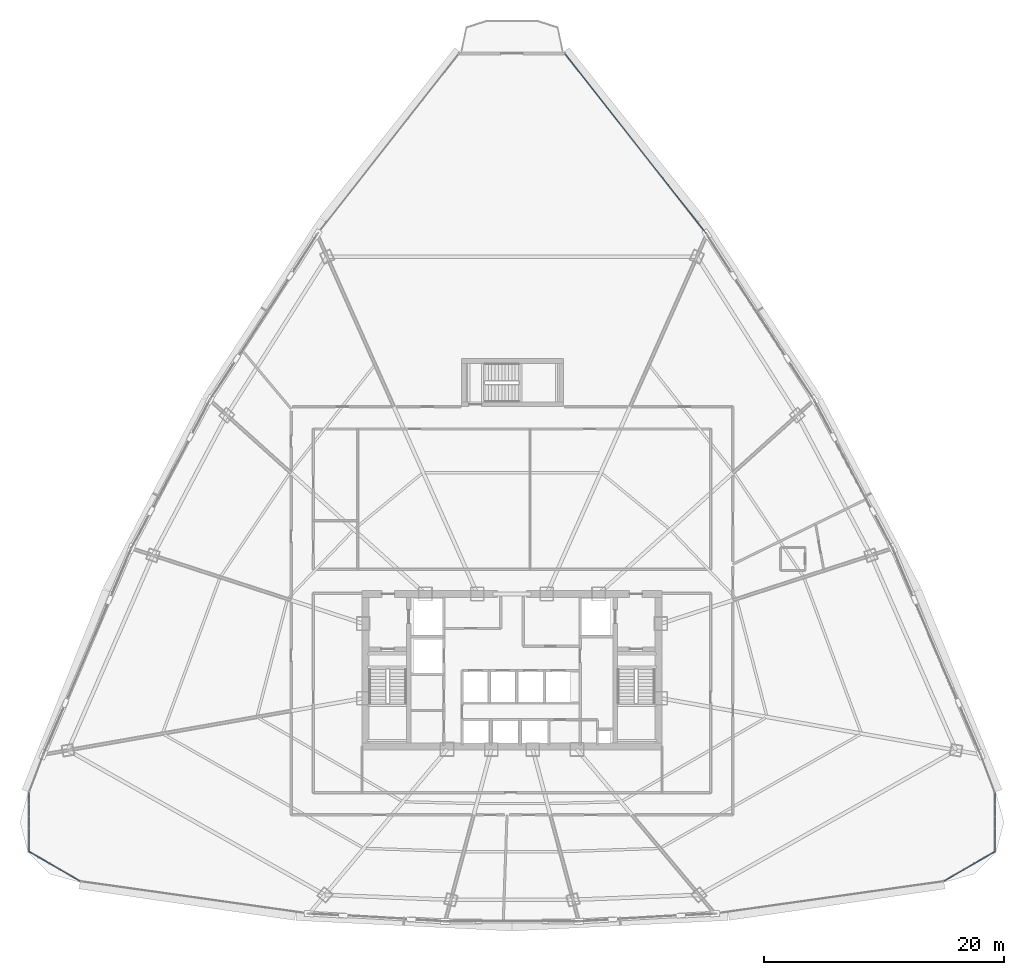
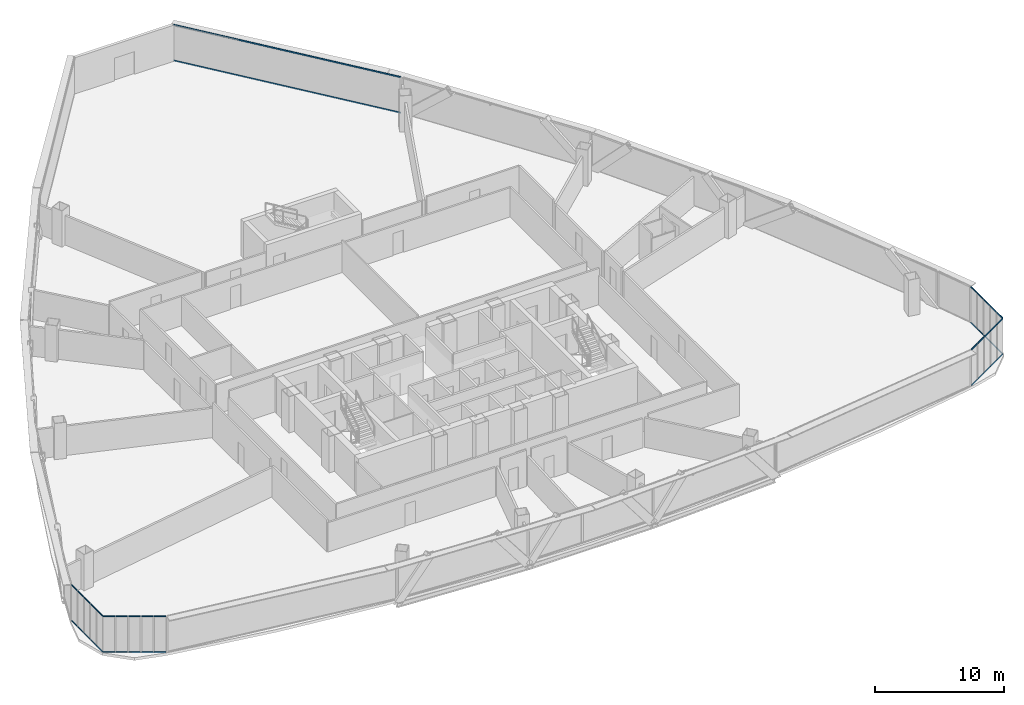
# One storey, part 30 of 42: 42 members, 5 elements without a shape of their own.
"""IFC4 building model written with IfcOpenShell, lengths in metres."""

from ifc_helpers import new_model, si_unit, direction, frame, origin, origin_2d, place, context, subcontext, project, spatial, hollow_rectangle, extrude, source, transform, mapped, material, layer, layer_set, material_profile, profile_set, type_object, element, aggregate, save


model = new_model("IFC4")

# Units and contexts
model_context = context("Model", 3, precision=1e-05, world=origin(), true_north=direction((0.0, 1.0)))
body_context = subcontext(model_context, "Body", "Model", "MODEL_VIEW")
ifc_project = project(units=[si_unit("LENGTHUNIT", "METRE"), si_unit("AREAUNIT", "SQUARE_METRE"), si_unit("VOLUMEUNIT", "CUBIC_METRE"), si_unit("PLANEANGLEUNIT", "RADIAN"), si_unit("MASSUNIT", "GRAM", prefix="KILO"), si_unit("THERMODYNAMICTEMPERATUREUNIT", "KELVIN"), si_unit("POWERUNIT", "WATT")], contexts=[model_context])

# Site, building, storey
site_placement = place(None, origin())
site = spatial("IfcSite", under=ifc_project, at=site_placement, CompositionType="ELEMENT")
building_placement = place(site_placement, origin())
building = spatial("IfcBuilding", under=site, at=building_placement, Name="Yunzhuo Pagoda Commons", CompositionType="ELEMENT")
storey_placement = place(building_placement, frame((0.0, 0.0, 129.830078125)))
storey = spatial("IfcBuildingStorey", under=building, at=storey_placement, Name="L32", CompositionType="ELEMENT", Elevation=129.830078125)

# Curtain wall, members
ifc_material = material(Name="Anodized aluminium 6063-T6", Category="aluminium")
ifc_layer_1 = layer(ifc_material, 0.14990234375)
ifc_layer_set_1 = layer_set([ifc_layer_1], Name="Anodized aluminium 6063-T6")
curtain_wall_type_1 = type_object("IfcCurtainWallType", Name="CW-MID Mid-Zone Ribbon Curtain Wall", PredefinedType="NOTDEFINED", material=ifc_layer_set_1)
curtain_wall_1_placement = place(storey_placement, origin())
curtain_wall_1 = element("IfcCurtainWall", 1, at=curtain_wall_1_placement, inside=storey, type_object=curtain_wall_type_1, Name="L32 curtain wall CW-L32-F2B5", PredefinedType="NOTDEFINED")
ifc_material_profile_1 = material_profile(ifc_material, hollow_rectangle(XDim=0.054931640625, YDim=0.1298828125, WallThickness=0.00341796875, at=origin_2d()), Name="Anodized aluminium 6063-T6")
ifc_profile_set_1 = profile_set([ifc_material_profile_1], Name="Anodized aluminium 6063-T6")
member_type_1 = type_object("IfcMemberType", Name="CW-MID-T Transom RHS 130x55x3.5", PredefinedType="USERDEFINED", material=ifc_profile_set_1)
shared_shape_1 = source(origin(), body_context, "Body", "SweptSolid", [
    extrude(hollow_rectangle(XDim=0.054931640625, YDim=0.1298828125, WallThickness=0.00341796875, at=origin_2d()), origin(), (0.0, 0.0, 1.0), 18.9765625),
])
member_1_placement = place(storey_placement, frame((64.1513671875, 70.269775390625, 0.02734375), z_axis=(-0.617497065847, 0.786573183925, 0.0), x_axis=(-0.786573183925, -0.617497065847, 0.0)))
member_1 = element("IfcMember", 2, at=member_1_placement, type_object=member_type_1, Name="CW transom 1.1", ObjectType="TRANSOM", PredefinedType="USERDEFINED", context=body_context, shape_type="MappedRepresentation", body=[
    mapped(shared_shape_1, transform((0.0, 0.0, 0.0), scale=1.0)),
])
member_2_placement = place(storey_placement, frame((64.1513671875, 70.269775390625, 3.392333984375), z_axis=(-0.617497065847, 0.786573183925, 0.0), x_axis=(-0.786573183925, -0.617497065847, 0.0)))
member_2 = element("IfcMember", 3, at=member_2_placement, type_object=member_type_1, Name="CW transom 1.2", ObjectType="TRANSOM", PredefinedType="USERDEFINED", context=body_context, shape_type="MappedRepresentation", body=[
    mapped(shared_shape_1, transform((0.0, 0.0, 0.0), scale=1.0)),
])
aggregate(curtain_wall_1, [member_1, member_2])

ifc_layer_2 = layer(ifc_material, 0.1298828125)
ifc_layer_set_2 = layer_set([ifc_layer_2], Name="Anodized aluminium 6063-T6")
curtain_wall_type_2 = type_object("IfcCurtainWallType", Name="CW-VTX Rounded Corner Curtain Wall", PredefinedType="NOTDEFINED", material=ifc_layer_set_2)
curtain_wall_2_placement = place(storey_placement, origin())
curtain_wall_2 = element("IfcCurtainWall", 4, at=curtain_wall_2_placement, inside=storey, type_object=curtain_wall_type_2, Name="L32 curtain wall CW-L32-VTX1S1", PredefinedType="NOTDEFINED")
ifc_material_profile_2 = material_profile(ifc_material, hollow_rectangle(XDim=0.054931640625, YDim=0.1201171875, WallThickness=0.00341796875, at=origin_2d()), Name="Anodized aluminium 6063-T6")
ifc_profile_set_2 = profile_set([ifc_material_profile_2], Name="Anodized aluminium 6063-T6")
member_type_2 = type_object("IfcMemberType", Name="CW-VTX-T Transom RHS 120x55x3.5", PredefinedType="USERDEFINED", material=ifc_profile_set_2)
shared_shape_2 = source(origin(), body_context, "Body", "SweptSolid", [
    extrude(hollow_rectangle(XDim=0.054931640625, YDim=0.1201171875, WallThickness=0.00341796875, at=origin_2d()), origin(), (0.0, 0.0, 1.0), 0.915771484375),
])
member_3_placement = place(storey_placement, frame((7.766357421875, 23.625732421875, 0.02734375), z_axis=(-0.003465721655, -0.999993994369, 0.0), x_axis=(0.999993994369, -0.003465721655, 0.0)))
member_3 = element("IfcMember", 5, at=member_3_placement, type_object=member_type_2, Name="CW transom 1.1", ObjectType="TRANSOM", PredefinedType="USERDEFINED", context=body_context, shape_type="MappedRepresentation", body=[
    mapped(shared_shape_2, transform((0.0, 0.0, 0.0), scale=1.0)),
])
member_4_placement = place(storey_placement, frame((7.766357421875, 23.625732421875, 3.392333984375), z_axis=(-0.003465721655, -0.999993994369, 0.0), x_axis=(0.999993994369, -0.003465721655, 0.0)))
member_4 = element("IfcMember", 6, at=member_4_placement, type_object=member_type_2, Name="CW transom 1.2", ObjectType="TRANSOM", PredefinedType="USERDEFINED", context=body_context, shape_type="MappedRepresentation", body=[
    mapped(shared_shape_2, transform((0.0, 0.0, 0.0), scale=1.0)),
])

curtain_wall_3_placement = place(storey_placement, origin())
curtain_wall_3 = element("IfcCurtainWall", 7, at=curtain_wall_3_placement, inside=storey, type_object=curtain_wall_type_2, Name="L32 curtain wall CW-L32-VTX1S2", PredefinedType="NOTDEFINED")
member_5_placement = place(storey_placement, frame((7.75634765625, 18.73193359375, 0.02734375), z_axis=(0.865341097906, -0.501183383877, 0.0), x_axis=(0.501183383877, 0.865341097906, 0.0)))
member_5 = element("IfcMember", 8, at=member_5_placement, type_object=member_type_2, Name="CW transom 1.1", ObjectType="TRANSOM", PredefinedType="USERDEFINED", context=body_context, shape_type="MappedRepresentation", body=[
    mapped(shared_shape_2, transform((0.0, 0.0, 0.0), scale=1.0)),
])
member_6_placement = place(storey_placement, frame((7.75634765625, 18.73193359375, 3.392333984375), z_axis=(0.865341097906, -0.501183383877, 0.0), x_axis=(0.501183383877, 0.865341097906, 0.0)))
member_6 = element("IfcMember", 9, at=member_6_placement, type_object=member_type_2, Name="CW transom 1.2", ObjectType="TRANSOM", PredefinedType="USERDEFINED", context=body_context, shape_type="MappedRepresentation", body=[
    mapped(shared_shape_2, transform((0.0, 0.0, 0.0), scale=1.0)),
])
member_7_placement = place(storey_placement, frame((11.18798828125, 16.7451171875, 0.02734375), z_axis=(0.865456707617, -0.500983719536, 0.0), x_axis=(0.500983719536, 0.865456707617, 0.0)))
member_7 = element("IfcMember", 10, at=member_7_placement, type_object=member_type_2, Name="CW transom 5.1", ObjectType="TRANSOM", PredefinedType="USERDEFINED", context=body_context, shape_type="MappedRepresentation", body=[
    mapped(shared_shape_2, transform((0.0, 0.0, 0.0), scale=1.0)),
])
member_8_placement = place(storey_placement, frame((11.18798828125, 16.7451171875, 3.392333984375), z_axis=(0.865456707617, -0.500983719536, 0.0), x_axis=(0.500983719536, 0.865456707617, 0.0)))
member_8 = element("IfcMember", 11, at=member_8_placement, type_object=member_type_2, Name="CW transom 5.2", ObjectType="TRANSOM", PredefinedType="USERDEFINED", context=body_context, shape_type="MappedRepresentation", body=[
    mapped(shared_shape_2, transform((0.0, 0.0, 0.0), scale=1.0)),
])

curtain_wall_4_placement = place(storey_placement, origin())
curtain_wall_4 = element("IfcCurtainWall", 12, at=curtain_wall_4_placement, inside=storey, type_object=curtain_wall_type_2, Name="L32 curtain wall CW-L32-VTX2S1", PredefinedType="NOTDEFINED")
member_9_placement = place(storey_placement, frame((84.01953125, 16.286376953125, 0.02734375), z_axis=(0.865456707617, 0.500983719536, 0.0), x_axis=(-0.500983719536, 0.865456707617, 0.0)))
member_9 = element("IfcMember", 13, at=member_9_placement, type_object=member_type_2, Name="CW transom 1.1", ObjectType="TRANSOM", PredefinedType="USERDEFINED", context=body_context, shape_type="MappedRepresentation", body=[
    mapped(shared_shape_2, transform((0.0, 0.0, 0.0), scale=1.0)),
])
member_10_placement = place(storey_placement, frame((84.01953125, 16.286376953125, 3.392333984375), z_axis=(0.865456707617, 0.500983719536, 0.0), x_axis=(-0.500983719536, 0.865456707617, 0.0)))
member_10 = element("IfcMember", 14, at=member_10_placement, type_object=member_type_2, Name="CW transom 1.2", ObjectType="TRANSOM", PredefinedType="USERDEFINED", context=body_context, shape_type="MappedRepresentation", body=[
    mapped(shared_shape_2, transform((0.0, 0.0, 0.0), scale=1.0)),
])
member_11_placement = place(storey_placement, frame((87.451171875, 18.27294921875, 0.02734375), z_axis=(0.865341097906, 0.501183383877, 0.0), x_axis=(-0.501183383877, 0.865341097906, 0.0)))
member_11 = element("IfcMember", 15, at=member_11_placement, type_object=member_type_2, Name="CW transom 5.1", ObjectType="TRANSOM", PredefinedType="USERDEFINED", context=body_context, shape_type="MappedRepresentation", body=[
    mapped(shared_shape_2, transform((0.0, 0.0, 0.0), scale=1.0)),
])
member_12_placement = place(storey_placement, frame((87.451171875, 18.27294921875, 3.392333984375), z_axis=(0.865341097906, 0.501183383877, 0.0), x_axis=(-0.501183383877, 0.865341097906, 0.0)))
member_12 = element("IfcMember", 16, at=member_12_placement, type_object=member_type_2, Name="CW transom 5.2", ObjectType="TRANSOM", PredefinedType="USERDEFINED", context=body_context, shape_type="MappedRepresentation", body=[
    mapped(shared_shape_2, transform((0.0, 0.0, 0.0), scale=1.0)),
])

curtain_wall_5_placement = place(storey_placement, origin())
curtain_wall_5 = element("IfcCurtainWall", 17, at=curtain_wall_5_placement, inside=storey, type_object=curtain_wall_type_2, Name="L32 curtain wall CW-L32-VTX2S2", PredefinedType="NOTDEFINED")
member_13_placement = place(storey_placement, frame((88.23681640625, 22.7099609375, 0.02734375), z_axis=(-0.003465721655, 0.999993994369, 0.0), x_axis=(-0.999993994369, -0.003465721655, 0.0)))
member_13 = element("IfcMember", 18, at=member_13_placement, type_object=member_type_2, Name="CW transom 5.1", ObjectType="TRANSOM", PredefinedType="USERDEFINED", context=body_context, shape_type="MappedRepresentation", body=[
    mapped(shared_shape_2, transform((0.0, 0.0, 0.0), scale=1.0)),
])
member_14_placement = place(storey_placement, frame((88.23681640625, 22.7099609375, 3.392333984375), z_axis=(-0.003465721655, 0.999993994369, 0.0), x_axis=(-0.999993994369, -0.003465721655, 0.0)))
member_14 = element("IfcMember", 19, at=member_14_placement, type_object=member_type_2, Name="CW transom 5.2", ObjectType="TRANSOM", PredefinedType="USERDEFINED", context=body_context, shape_type="MappedRepresentation", body=[
    mapped(shared_shape_2, transform((0.0, 0.0, 0.0), scale=1.0)),
])

# Member
shared_shape_3 = source(origin(), body_context, "Body", "SweptSolid", [
    extrude(hollow_rectangle(XDim=0.054931640625, YDim=0.1201171875, WallThickness=0.00341796875, at=origin_2d()), origin(), (0.0, 0.0, 1.0), 0.943115234375),
])
member_15_placement = place(storey_placement, frame((7.76318359375, 22.655029296875, 0.02734375), z_axis=(-0.003624102527, -0.999993432919, 0.0), x_axis=(0.999993432919, -0.003624102527, 0.0)))
member_15 = element("IfcMember", 20, at=member_15_placement, type_object=member_type_2, Name="CW transom 2.1", ObjectType="TRANSOM", PredefinedType="USERDEFINED", context=body_context, shape_type="MappedRepresentation", body=[
    mapped(shared_shape_3, transform((0.0, 0.0, 0.0), scale=1.0)),
])

member_16_placement = place(storey_placement, frame((7.76318359375, 22.655029296875, 3.392333984375), z_axis=(-0.003624102527, -0.999993432919, 0.0), x_axis=(0.999993432919, -0.003624102527, 0.0)))
member_16 = element("IfcMember", 21, at=member_16_placement, type_object=member_type_2, Name="CW transom 2.2", ObjectType="TRANSOM", PredefinedType="USERDEFINED", context=body_context, shape_type="MappedRepresentation", body=[
    mapped(shared_shape_3, transform((0.0, 0.0, 0.0), scale=1.0)),
])

member_17_placement = place(storey_placement, frame((7.755859375, 20.65869140625, 0.02734375), z_axis=(-0.003624102527, -0.999993432919, 0.0), x_axis=(0.999993432919, -0.003624102527, 0.0)))
member_17 = element("IfcMember", 22, at=member_17_placement, type_object=member_type_2, Name="CW transom 4.1", ObjectType="TRANSOM", PredefinedType="USERDEFINED", context=body_context, shape_type="MappedRepresentation", body=[
    mapped(shared_shape_3, transform((0.0, 0.0, 0.0), scale=1.0)),
])

member_18_placement = place(storey_placement, frame((7.755859375, 20.65869140625, 3.392333984375), z_axis=(-0.003624102527, -0.999993432919, 0.0), x_axis=(0.999993432919, -0.003624102527, 0.0)))
member_18 = element("IfcMember", 23, at=member_18_placement, type_object=member_type_2, Name="CW transom 4.2", ObjectType="TRANSOM", PredefinedType="USERDEFINED", context=body_context, shape_type="MappedRepresentation", body=[
    mapped(shared_shape_3, transform((0.0, 0.0, 0.0), scale=1.0)),
])

member_19_placement = place(storey_placement, frame((8.5966796875, 18.245849609375, 0.02734375), z_axis=(0.865183952342, -0.501454612713, 0.0), x_axis=(0.501454612713, 0.865183952342, 0.0)))
member_19 = element("IfcMember", 24, at=member_19_placement, type_object=member_type_2, Name="CW transom 2.1", ObjectType="TRANSOM", PredefinedType="USERDEFINED", context=body_context, shape_type="MappedRepresentation", body=[
    mapped(shared_shape_3, transform((0.0, 0.0, 0.0), scale=1.0)),
])

member_20_placement = place(storey_placement, frame((8.5966796875, 18.245849609375, 3.392333984375), z_axis=(0.865183952342, -0.501454612713, 0.0), x_axis=(0.501454612713, 0.865183952342, 0.0)))
member_20 = element("IfcMember", 25, at=member_20_placement, type_object=member_type_2, Name="CW transom 2.2", ObjectType="TRANSOM", PredefinedType="USERDEFINED", context=body_context, shape_type="MappedRepresentation", body=[
    mapped(shared_shape_3, transform((0.0, 0.0, 0.0), scale=1.0)),
])

member_21_placement = place(storey_placement, frame((10.32421875, 17.245361328125, 0.02734375), z_axis=(0.865361295252, -0.501148509605, 0.0), x_axis=(0.501148509605, 0.865361295252, 0.0)))
member_21 = element("IfcMember", 26, at=member_21_placement, type_object=member_type_2, Name="CW transom 4.1", ObjectType="TRANSOM", PredefinedType="USERDEFINED", context=body_context, shape_type="MappedRepresentation", body=[
    mapped(shared_shape_3, transform((0.0, 0.0, 0.0), scale=1.0)),
])

member_22_placement = place(storey_placement, frame((10.32421875, 17.245361328125, 3.392333984375), z_axis=(0.865361295252, -0.501148509605, 0.0), x_axis=(0.501148509605, 0.865361295252, 0.0)))
member_22 = element("IfcMember", 27, at=member_22_placement, type_object=member_type_2, Name="CW transom 4.2", ObjectType="TRANSOM", PredefinedType="USERDEFINED", context=body_context, shape_type="MappedRepresentation", body=[
    mapped(shared_shape_3, transform((0.0, 0.0, 0.0), scale=1.0)),
])

member_23_placement = place(storey_placement, frame((84.859619140625, 16.772705078125, 0.02734375), z_axis=(0.865361295252, 0.501148509605, 0.0), x_axis=(-0.501148509605, 0.865361295252, 0.0)))
member_23 = element("IfcMember", 28, at=member_23_placement, type_object=member_type_2, Name="CW transom 2.1", ObjectType="TRANSOM", PredefinedType="USERDEFINED", context=body_context, shape_type="MappedRepresentation", body=[
    mapped(shared_shape_3, transform((0.0, 0.0, 0.0), scale=1.0)),
])

member_24_placement = place(storey_placement, frame((84.859619140625, 16.772705078125, 3.392333984375), z_axis=(0.865361295252, 0.501148509605, 0.0), x_axis=(-0.501148509605, 0.865361295252, 0.0)))
member_24 = element("IfcMember", 29, at=member_24_placement, type_object=member_type_2, Name="CW transom 2.2", ObjectType="TRANSOM", PredefinedType="USERDEFINED", context=body_context, shape_type="MappedRepresentation", body=[
    mapped(shared_shape_3, transform((0.0, 0.0, 0.0), scale=1.0)),
])

member_25_placement = place(storey_placement, frame((88.24755859375, 19.715576171875, 0.02734375), z_axis=(-0.003624102527, 0.999993432919, 0.0), x_axis=(-0.999993432919, -0.003624102527, 0.0)))
member_25 = element("IfcMember", 30, at=member_25_placement, type_object=member_type_2, Name="CW transom 2.1", ObjectType="TRANSOM", PredefinedType="USERDEFINED", context=body_context, shape_type="MappedRepresentation", body=[
    mapped(shared_shape_3, transform((0.0, 0.0, 0.0), scale=1.0)),
])

member_26_placement = place(storey_placement, frame((88.24755859375, 19.715576171875, 3.392333984375), z_axis=(-0.003624102527, 0.999993432919, 0.0), x_axis=(-0.999993432919, -0.003624102527, 0.0)))
member_26 = element("IfcMember", 31, at=member_26_placement, type_object=member_type_2, Name="CW transom 2.2", ObjectType="TRANSOM", PredefinedType="USERDEFINED", context=body_context, shape_type="MappedRepresentation", body=[
    mapped(shared_shape_3, transform((0.0, 0.0, 0.0), scale=1.0)),
])

member_27_placement = place(storey_placement, frame((88.24072265625, 21.7119140625, 0.02734375), z_axis=(-0.003624102527, 0.999993432919, 0.0), x_axis=(-0.999993432919, -0.003624102527, 0.0)))
member_27 = element("IfcMember", 32, at=member_27_placement, type_object=member_type_2, Name="CW transom 4.1", ObjectType="TRANSOM", PredefinedType="USERDEFINED", context=body_context, shape_type="MappedRepresentation", body=[
    mapped(shared_shape_3, transform((0.0, 0.0, 0.0), scale=1.0)),
])

member_28_placement = place(storey_placement, frame((88.24072265625, 21.7119140625, 3.392333984375), z_axis=(-0.003624102527, 0.999993432919, 0.0), x_axis=(-0.999993432919, -0.003624102527, 0.0)))
member_28 = element("IfcMember", 33, at=member_28_placement, type_object=member_type_2, Name="CW transom 4.2", ObjectType="TRANSOM", PredefinedType="USERDEFINED", context=body_context, shape_type="MappedRepresentation", body=[
    mapped(shared_shape_3, transform((0.0, 0.0, 0.0), scale=1.0)),
])

shared_shape_4 = source(origin(), body_context, "Body", "SweptSolid", [
    extrude(hollow_rectangle(XDim=0.054931640625, YDim=0.1201171875, WallThickness=0.00341796875, at=origin_2d()), origin(), (0.0, 0.0, 1.0), 0.943359375),
])
member_29_placement = place(storey_placement, frame((7.75927734375, 21.656982421875, 0.02734375), z_axis=(-0.003623164624, -0.999993436318, 0.0), x_axis=(0.999993436318, -0.003623164624, 0.0)))
member_29 = element("IfcMember", 34, at=member_29_placement, type_object=member_type_2, Name="CW transom 3.1", ObjectType="TRANSOM", PredefinedType="USERDEFINED", context=body_context, shape_type="MappedRepresentation", body=[
    mapped(shared_shape_4, transform((0.0, 0.0, 0.0), scale=1.0)),
])

member_30_placement = place(storey_placement, frame((7.75927734375, 21.656982421875, 3.392333984375), z_axis=(-0.003623164624, -0.999993436318, 0.0), x_axis=(0.999993436318, -0.003623164624, 0.0)))
member_30 = element("IfcMember", 35, at=member_30_placement, type_object=member_type_2, Name="CW transom 3.2", ObjectType="TRANSOM", PredefinedType="USERDEFINED", context=body_context, shape_type="MappedRepresentation", body=[
    mapped(shared_shape_4, transform((0.0, 0.0, 0.0), scale=1.0)),
])

member_31_placement = place(storey_placement, frame((9.460205078125, 17.745361328125, 0.02734375), z_axis=(0.865426285481, -0.501036270542, 0.0), x_axis=(0.501036270542, 0.865426285481, 0.0)))
member_31 = element("IfcMember", 36, at=member_31_placement, type_object=member_type_2, Name="CW transom 3.1", ObjectType="TRANSOM", PredefinedType="USERDEFINED", context=body_context, shape_type="MappedRepresentation", body=[
    mapped(shared_shape_4, transform((0.0, 0.0, 0.0), scale=1.0)),
])

member_32_placement = place(storey_placement, frame((9.460205078125, 17.745361328125, 3.392333984375), z_axis=(0.865426285481, -0.501036270542, 0.0), x_axis=(0.501036270542, 0.865426285481, 0.0)))
member_32 = element("IfcMember", 37, at=member_32_placement, type_object=member_type_2, Name="CW transom 3.2", ObjectType="TRANSOM", PredefinedType="USERDEFINED", context=body_context, shape_type="MappedRepresentation", body=[
    mapped(shared_shape_4, transform((0.0, 0.0, 0.0), scale=1.0)),
])

aggregate(curtain_wall_3, [member_5, member_6, member_19, member_20, member_31, member_32, member_21, member_22, member_7, member_8])

member_33_placement = place(storey_placement, frame((85.723388671875, 17.272705078125, 0.02734375), z_axis=(0.865426285481, 0.501036270542, 0.0), x_axis=(-0.501036270542, 0.865426285481, 0.0)))
member_33 = element("IfcMember", 38, at=member_33_placement, type_object=member_type_2, Name="CW transom 3.1", ObjectType="TRANSOM", PredefinedType="USERDEFINED", context=body_context, shape_type="MappedRepresentation", body=[
    mapped(shared_shape_4, transform((0.0, 0.0, 0.0), scale=1.0)),
])

member_34_placement = place(storey_placement, frame((85.723388671875, 17.272705078125, 3.392333984375), z_axis=(0.865426285481, 0.501036270542, 0.0), x_axis=(-0.501036270542, 0.865426285481, 0.0)))
member_34 = element("IfcMember", 39, at=member_34_placement, type_object=member_type_2, Name="CW transom 3.2", ObjectType="TRANSOM", PredefinedType="USERDEFINED", context=body_context, shape_type="MappedRepresentation", body=[
    mapped(shared_shape_4, transform((0.0, 0.0, 0.0), scale=1.0)),
])

member_35_placement = place(storey_placement, frame((86.58740234375, 17.77294921875, 0.02734375), z_axis=(0.865314060194, 0.501230064173, 0.0), x_axis=(-0.501230064173, 0.865314060194, 0.0)))
member_35 = element("IfcMember", 40, at=member_35_placement, type_object=member_type_2, Name="CW transom 4.1", ObjectType="TRANSOM", PredefinedType="USERDEFINED", context=body_context, shape_type="MappedRepresentation", body=[
    mapped(shared_shape_4, transform((0.0, 0.0, 0.0), scale=1.0)),
])

member_36_placement = place(storey_placement, frame((86.58740234375, 17.77294921875, 3.392333984375), z_axis=(0.865314060194, 0.501230064173, 0.0), x_axis=(-0.501230064173, 0.865314060194, 0.0)))
member_36 = element("IfcMember", 41, at=member_36_placement, type_object=member_type_2, Name="CW transom 4.2", ObjectType="TRANSOM", PredefinedType="USERDEFINED", context=body_context, shape_type="MappedRepresentation", body=[
    mapped(shared_shape_4, transform((0.0, 0.0, 0.0), scale=1.0)),
])

aggregate(curtain_wall_4, [member_9, member_10, member_23, member_24, member_33, member_34, member_35, member_36, member_11, member_12])

member_37_placement = place(storey_placement, frame((88.244140625, 20.713623046875, 0.02734375), z_axis=(-0.003623164624, 0.999993436318, 0.0), x_axis=(-0.999993436318, -0.003623164624, 0.0)))
member_37 = element("IfcMember", 42, at=member_37_placement, type_object=member_type_2, Name="CW transom 3.1", ObjectType="TRANSOM", PredefinedType="USERDEFINED", context=body_context, shape_type="MappedRepresentation", body=[
    mapped(shared_shape_4, transform((0.0, 0.0, 0.0), scale=1.0)),
])

member_38_placement = place(storey_placement, frame((88.244140625, 20.713623046875, 3.392333984375), z_axis=(-0.003623164624, 0.999993436318, 0.0), x_axis=(-0.999993436318, -0.003623164624, 0.0)))
member_38 = element("IfcMember", 43, at=member_38_placement, type_object=member_type_2, Name="CW transom 3.2", ObjectType="TRANSOM", PredefinedType="USERDEFINED", context=body_context, shape_type="MappedRepresentation", body=[
    mapped(shared_shape_4, transform((0.0, 0.0, 0.0), scale=1.0)),
])

shared_shape_5 = source(origin(), body_context, "Body", "SweptSolid", [
    extrude(hollow_rectangle(XDim=0.054931640625, YDim=0.1201171875, WallThickness=0.00341796875, at=origin_2d()), origin(), (0.0, 0.0, 1.0), 0.916015625),
])
member_39_placement = place(storey_placement, frame((7.752197265625, 19.660888671875, 0.02734375), z_axis=(-0.003731317308, -0.999993038611, 0.0), x_axis=(0.999993038611, -0.003731317308, 0.0)))
member_39 = element("IfcMember", 44, at=member_39_placement, type_object=member_type_2, Name="CW transom 5.1", ObjectType="TRANSOM", PredefinedType="USERDEFINED", context=body_context, shape_type="MappedRepresentation", body=[
    mapped(shared_shape_5, transform((0.0, 0.0, 0.0), scale=1.0)),
])

member_40_placement = place(storey_placement, frame((7.752197265625, 19.660888671875, 3.392333984375), z_axis=(-0.003731317308, -0.999993038611, 0.0), x_axis=(0.999993038611, -0.003731317308, 0.0)))
member_40 = element("IfcMember", 45, at=member_40_placement, type_object=member_type_2, Name="CW transom 5.2", ObjectType="TRANSOM", PredefinedType="USERDEFINED", context=body_context, shape_type="MappedRepresentation", body=[
    mapped(shared_shape_5, transform((0.0, 0.0, 0.0), scale=1.0)),
])

aggregate(curtain_wall_2, [member_3, member_4, member_15, member_16, member_29, member_30, member_17, member_18, member_39, member_40])

member_41_placement = place(storey_placement, frame((88.251220703125, 18.744873046875, 0.02734375), z_axis=(-0.003731317308, 0.999993038611, 0.0), x_axis=(-0.999993038611, -0.003731317308, 0.0)))
member_41 = element("IfcMember", 46, at=member_41_placement, type_object=member_type_2, Name="CW transom 1.1", ObjectType="TRANSOM", PredefinedType="USERDEFINED", context=body_context, shape_type="MappedRepresentation", body=[
    mapped(shared_shape_5, transform((0.0, 0.0, 0.0), scale=1.0)),
])

member_42_placement = place(storey_placement, frame((88.251220703125, 18.744873046875, 3.392333984375), z_axis=(-0.003731317308, 0.999993038611, 0.0), x_axis=(-0.999993038611, -0.003731317308, 0.0)))
member_42 = element("IfcMember", 47, at=member_42_placement, type_object=member_type_2, Name="CW transom 1.2", ObjectType="TRANSOM", PredefinedType="USERDEFINED", context=body_context, shape_type="MappedRepresentation", body=[
    mapped(shared_shape_5, transform((0.0, 0.0, 0.0), scale=1.0)),
])

aggregate(curtain_wall_5, [member_41, member_42, member_25, member_26, member_37, member_38, member_27, member_28, member_13, member_14])

save(model, "model.ifc")
